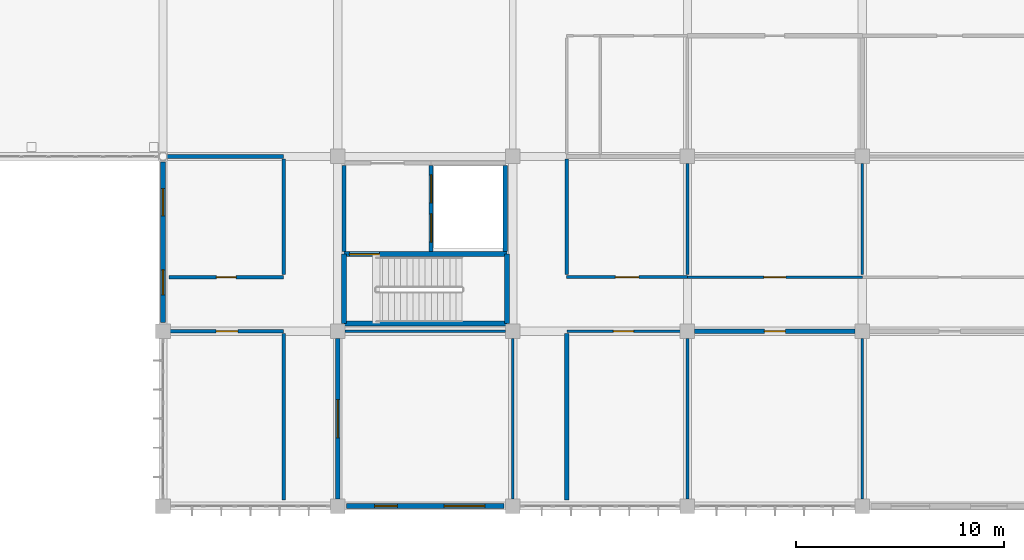
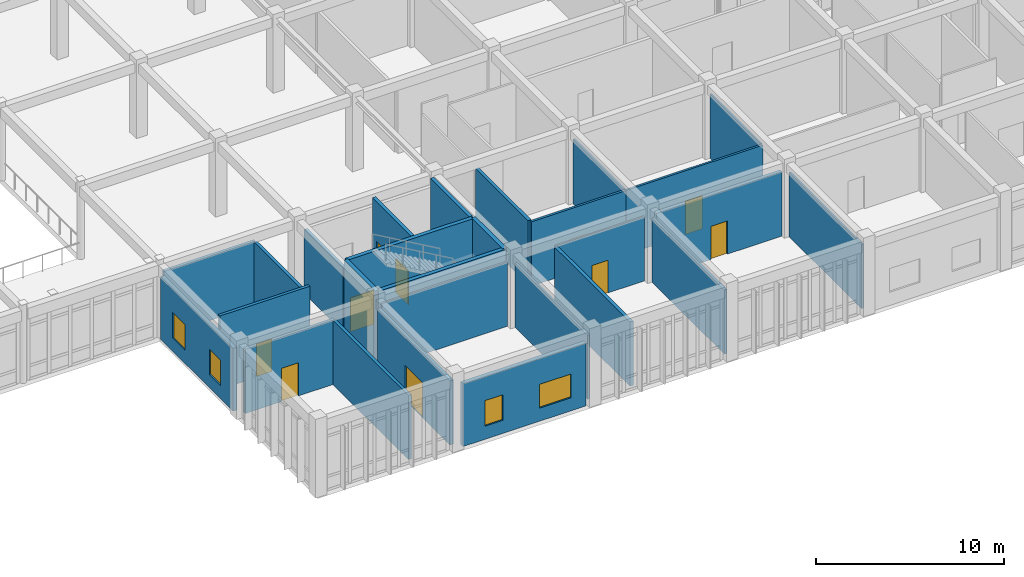
# One storey, part 93 of 134: 27 walls, 10 doors, 4 windows, 14 openings.
"""IFC4 building model written with IfcOpenShell, lengths in metres."""

from ifc_helpers import new_model, si_unit, direction, frame, frame_2d, origin, place, context, subcontext, project, spatial, rectangle, extrude, material, layer, layer_set, type_object, element, fill, save


model = new_model("IFC4")

# Units and contexts
model_context = context("Model", 3, precision=1e-05, world=origin(), true_north=direction((0.0, 1.0)))
body_context = subcontext(model_context, "Body", "Model", "MODEL_VIEW")
ifc_project = project(units=[si_unit("LENGTHUNIT", "METRE"), si_unit("AREAUNIT", "SQUARE_METRE"), si_unit("VOLUMEUNIT", "CUBIC_METRE"), si_unit("PLANEANGLEUNIT", "RADIAN"), si_unit("MASSUNIT", "GRAM", prefix="KILO")], contexts=[model_context])

# Site, building, storey
site_placement = place(None, origin())
site = spatial("IfcSite", under=ifc_project, at=site_placement, CompositionType="ELEMENT")
building_placement = place(site_placement, origin())
building = spatial("IfcBuilding", under=site, at=building_placement, Name="Bramfleet General Hospital", CompositionType="ELEMENT")
storey_placement = place(building_placement, frame((0.0, 0.0, 9.300048828125)))
storey = spatial("IfcBuildingStorey", under=building, at=storey_placement, Name="L02", CompositionType="ELEMENT", Elevation=9.300048828125)

# Wall, openings, windows
ifc_material_1 = material(Name="Precast concrete C40/50", Category="concrete")
ifc_layer_1 = layer(ifc_material_1, 0.25, Name="WT-EW-08")
ifc_layer_set_1 = layer_set([ifc_layer_1], Name="Precast concrete C40/50")
wall_type_1 = type_object("IfcWallType", Name="WT-EW-08", PredefinedType="SOLIDWALL", material=ifc_layer_set_1)
wall_1_placement = place(storey_placement, frame((108.77490234375, 0.0, 0.0), z_axis=(0.0, 0.0, 1.0), x_axis=(-1.0, 0.0, 0.0)))
wall_1 = element("IfcWall", 1, at=wall_1_placement, inside=storey, type_object=wall_type_1, Name="L02 Exterior Wall 230", PredefinedType="SOLIDWALL", context=body_context, shape_type="SweptSolid", body=[
    extrude(rectangle(XDim=7.5498046875, YDim=0.25, at=frame_2d((3.77490234375, 0.0))), origin(), (0.0, 0.0, 1.0), 4.070068359375),
])
opening_1_placement = place(wall_1_placement, frame((0.91259765625, 0.0, 0.85009765625)))
opening_1 = element("IfcOpeningElement", 2, at=opening_1_placement, cuts=wall_1, Name="Opening W-30", PredefinedType="OPENING", context=body_context, shape_type="SweptSolid", body=[
    extrude(rectangle(XDim=1.949951171875, YDim=1.5400390625, at=frame_2d((0.97509765625, 0.77001953125))), frame((0.0, 0.135009765625, 0.0), z_axis=(0.0, -1.0, 0.0), x_axis=(1.0, 0.0, 0.0)), (0.0, 0.0, 1.0), 0.27001953125),
])
opening_2_placement = place(wall_1_placement, frame((5.112548828125, 0.0, 0.85009765625)))
opening_2 = element("IfcOpeningElement", 3, at=opening_2_placement, cuts=wall_1, Name="Opening W-31", PredefinedType="OPENING", context=body_context, shape_type="SweptSolid", body=[
    extrude(rectangle(XDim=1.10009765625, YDim=1.659912109375, at=frame_2d((0.550048828125, 0.830078125))), frame((0.0, 0.135009765625, 0.0), z_axis=(0.0, -1.0, 0.0), x_axis=(1.0, 0.0, 0.0)), (0.0, 0.0, 1.0), 0.27001953125),
])
ifc_material_2 = material(Name="Anodised aluminium and low-E triple glazing", Category="aluminium")
window_type_1 = type_object("IfcWindowType", Name="WIN-W-30", PartitioningType="SINGLE_PANEL", PredefinedType="WINDOW", material=ifc_material_2)
window_1_placement = place(opening_1_placement, origin())
window_1 = element("IfcWindow", 4, at=window_1_placement, inside=storey, type_object=window_type_1, Name="L02 Facade Window WIN-L02-230-1", OverallHeight=1.5400390625, OverallWidth=1.949951171875, PartitioningType="SINGLE_PANEL", PredefinedType="WINDOW", context=body_context, shape_type="SweptSolid", body=[
    extrude(rectangle(XDim=1.949951171875, YDim=1.5400390625, at=frame_2d((0.97509765625, 0.77001953125))), frame((0.0, 0.030029296875, 0.0), z_axis=(0.0, -1.0, 0.0), x_axis=(1.0, 0.0, 0.0)), (0.0, 0.0, 1.0), 0.06005859375),
])
fill(opening_1, window_1)
window_type_2 = type_object("IfcWindowType", Name="WIN-W-31", PartitioningType="SINGLE_PANEL", PredefinedType="WINDOW", material=ifc_material_2)
window_2_placement = place(opening_2_placement, origin())
window_2 = element("IfcWindow", 5, at=window_2_placement, inside=storey, type_object=window_type_2, Name="L02 Facade Window WIN-L02-230-2", OverallHeight=1.659912109375, OverallWidth=1.10009765625, PartitioningType="SINGLE_PANEL", PredefinedType="WINDOW", context=body_context, shape_type="SweptSolid", body=[
    extrude(rectangle(XDim=1.10009765625, YDim=1.659912109375, at=frame_2d((0.550048828125, 0.830078125))), frame((0.0, 0.030029296875, 0.0), z_axis=(0.0, -1.0, 0.0), x_axis=(1.0, 0.0, 0.0)), (0.0, 0.0, 1.0), 0.06005859375),
])
fill(opening_2, window_2)

ifc_layer_2 = layer(ifc_material_1, 0.235107421875, Name="WT-EW-09")
ifc_layer_set_2 = layer_set([ifc_layer_2], Name="Precast concrete C40/50")
wall_type_2 = type_object("IfcWallType", Name="WT-EW-09", PredefinedType="SOLIDWALL", material=ifc_layer_set_2)
wall_2_placement = place(storey_placement, frame((92.39990234375, 8.824951171875, 0.0), z_axis=(0.0, 0.0, 1.0), x_axis=(0.0, 1.0, 0.0)))
wall_2 = element("IfcWall", 6, at=wall_2_placement, inside=storey, type_object=wall_type_2, Name="L02 Exterior Wall 231", PredefinedType="SOLIDWALL", context=body_context, shape_type="SweptSolid", body=[
    extrude(rectangle(XDim=7.697021484375, YDim=0.235107421875, at=frame_2d((3.8486328125, 0.0))), origin(), (0.0, 0.0, 1.0), 4.070068359375),
])
opening_3_placement = place(wall_2_placement, frame((1.32421875, 0.0, 0.85009765625)))
opening_3 = element("IfcOpeningElement", 7, at=opening_3_placement, cuts=wall_2, Name="Opening W-32", PredefinedType="OPENING", context=body_context, shape_type="SweptSolid", body=[
    extrude(rectangle(XDim=1.199951171875, YDim=1.659912109375, at=frame_2d((0.60009765625, 0.830078125))), frame((0.0, 0.12744140625, 0.0), z_axis=(0.0, -1.0, 0.0), x_axis=(1.0, 0.0, 0.0)), (0.0, 0.0, 1.0), 0.255126953125),
])
opening_4_placement = place(wall_2_placement, frame((5.122802734375, 0.0, 0.85009765625)))
opening_4 = element("IfcOpeningElement", 8, at=opening_4_placement, cuts=wall_2, Name="Opening W-33", PredefinedType="OPENING", context=body_context, shape_type="SweptSolid", body=[
    extrude(rectangle(XDim=1.300048828125, YDim=1.659912109375, at=frame_2d((0.64990234375, 0.830078125))), frame((0.0, 0.12744140625, 0.0), z_axis=(0.0, -1.0, 0.0), x_axis=(1.0, 0.0, 0.0)), (0.0, 0.0, 1.0), 0.255126953125),
])
window_type_3 = type_object("IfcWindowType", Name="WIN-W-32", PartitioningType="SINGLE_PANEL", PredefinedType="WINDOW", material=ifc_material_2)
window_3_placement = place(opening_3_placement, origin())
window_3 = element("IfcWindow", 9, at=window_3_placement, inside=storey, type_object=window_type_3, Name="L02 Facade Window WIN-L02-231-1", OverallHeight=1.659912109375, OverallWidth=1.199951171875, PartitioningType="SINGLE_PANEL", PredefinedType="WINDOW", context=body_context, shape_type="SweptSolid", body=[
    extrude(rectangle(XDim=1.199951171875, YDim=1.659912109375, at=frame_2d((0.60009765625, 0.830078125))), frame((0.0, 0.030029296875, 0.0), z_axis=(0.0, -1.0, 0.0), x_axis=(1.0, 0.0, 0.0)), (0.0, 0.0, 1.0), 0.06005859375),
])
fill(opening_3, window_3)
window_type_4 = type_object("IfcWindowType", Name="WIN-W-33", PartitioningType="SINGLE_PANEL", PredefinedType="WINDOW", material=ifc_material_2)
window_4_placement = place(opening_4_placement, origin())
window_4 = element("IfcWindow", 10, at=window_4_placement, inside=storey, type_object=window_type_4, Name="L02 Facade Window WIN-L02-231-2", OverallHeight=1.659912109375, OverallWidth=1.300048828125, PartitioningType="SINGLE_PANEL", PredefinedType="WINDOW", context=body_context, shape_type="SweptSolid", body=[
    extrude(rectangle(XDim=1.300048828125, YDim=1.659912109375, at=frame_2d((0.64990234375, 0.830078125))), frame((0.0, 0.030029296875, 0.0), z_axis=(0.0, -1.0, 0.0), x_axis=(1.0, 0.0, 0.0)), (0.0, 0.0, 1.0), 0.06005859375),
])
fill(opening_4, window_4)

# Wall, opening, door
ifc_material_3 = material(Name="Concrete C35/45", Category="concrete")
ifc_layer_3 = layer(ifc_material_3, 0.219970703125, Name="WT-IW-01")
ifc_layer_set_3 = layer_set([ifc_layer_3], Name="Concrete C35/45")
wall_type_3 = type_object("IfcWallType", Name="WT-IW-01", PredefinedType="PARTITIONING", material=ifc_layer_set_3)
wall_3_placement = place(storey_placement, frame((117.945068359375, 8.39990234375, 0.0), z_axis=(0.0, 0.0, 1.0), x_axis=(1.0, 0.0, 0.0)))
wall_3 = element("IfcWall", 11, at=wall_3_placement, inside=storey, type_object=wall_type_3, Name="L02 Interior Partition IW-L02-1933", PredefinedType="PARTITIONING", context=body_context, shape_type="SweptSolid", body=[
    extrude(rectangle(XDim=7.7099609375, YDim=0.219970703125, at=frame_2d((3.85498046875, 0.0))), origin(), (0.0, 0.0, 1.0), 4.169921875),
])
opening_5_placement = place(wall_3_placement, frame((3.35498046875, 0.0, 0.0)))
opening_5 = element("IfcOpeningElement", 12, at=opening_5_placement, cuts=wall_3, Name="Opening D0968", PredefinedType="OPENING", context=body_context, shape_type="SweptSolid", body=[
    extrude(rectangle(XDim=1.0, YDim=2.14990234375, at=frame_2d((0.5, 1.074951171875))), frame((0.0, 0.119873046875, 0.0), z_axis=(0.0, -1.0, 0.0), x_axis=(1.0, 0.0, 0.0)), (0.0, 0.0, 1.0), 0.239990234375),
])
ifc_material_4 = material(Name="Stainless steel and acoustic timber leaf", Category="steel")
door_type_1 = type_object("IfcDoorType", Name="DR-D-08", OperationType="NOTDEFINED", PredefinedType="DOOR", material=ifc_material_4)
door_1_placement = place(opening_5_placement, origin())
door_1 = element("IfcDoor", 13, at=door_1_placement, inside=storey, type_object=door_type_1, Name="Outpatient Physiotherapy Clinic L02-1400 Door D0968", OperationType="SINGLE_SWING_LEFT", OverallHeight=2.14990234375, OverallWidth=1.0, PredefinedType="DOOR", context=body_context, shape_type="SweptSolid", body=[
    extrude(rectangle(XDim=1.0, YDim=2.14990234375, at=frame_2d((0.5, 1.074951171875))), frame((0.0, 0.02490234375, 0.0), z_axis=(0.0, -1.0, 0.0), x_axis=(1.0, 0.0, 0.0)), (0.0, 0.0, 1.0), 0.050048828125),
])
fill(opening_5, door_1)

# Wall, openings, doors
ifc_layer_4 = layer(ifc_material_3, 0.205078125, Name="WT-IW-02")
ifc_layer_set_4 = layer_set([ifc_layer_4], Name="Concrete C35/45")
wall_type_4 = type_object("IfcWallType", Name="WT-IW-02", PredefinedType="PARTITIONING", material=ifc_layer_set_4)
wall_4_placement = place(storey_placement, frame((105.280029296875, 12.239990234375, 0.0), z_axis=(0.0, 0.0, 1.0), x_axis=(0.0, 1.0, 0.0)))
wall_4 = element("IfcWall", 14, at=wall_4_placement, inside=storey, type_object=wall_type_4, Name="L02 C3 Lobby East Shaft Wall", PredefinedType="PARTITIONING", context=body_context, shape_type="SweptSolid", body=[
    extrude(rectangle(XDim=4.1201171875, YDim=0.205078125, at=frame_2d((2.06005859375, 0.0))), origin(), (0.0, 0.0, 1.0), 4.77001953125),
])
opening_6_placement = place(wall_4_placement, frame((0.445068359375, 0.0, 0.0)))
opening_6 = element("IfcOpeningElement", 15, at=opening_6_placement, cuts=wall_4, Name="Opening LD-FL-01-L02", PredefinedType="OPENING", context=body_context, shape_type="SweptSolid", body=[
    extrude(rectangle(XDim=1.35009765625, YDim=2.199951171875, at=frame_2d((0.675048828125, 1.10009765625))), frame((0.0, 0.112548828125, 0.0), z_axis=(0.0, -1.0, 0.0), x_axis=(1.0, 0.0, 0.0)), (0.0, 0.0, 1.0), 0.22509765625),
])
opening_7_placement = place(wall_4_placement, frame((2.324951171875, 0.0, 0.0)))
opening_7 = element("IfcOpeningElement", 16, at=opening_7_placement, cuts=wall_4, Name="Opening LD-BL-03-L02", PredefinedType="OPENING", context=body_context, shape_type="SweptSolid", body=[
    extrude(rectangle(XDim=1.35009765625, YDim=2.199951171875, at=frame_2d((0.675048828125, 1.10009765625))), frame((0.0, 0.112548828125, 0.0), z_axis=(0.0, -1.0, 0.0), x_axis=(1.0, 0.0, 0.0)), (0.0, 0.0, 1.0), 0.22509765625),
])
ifc_material_5 = material(Name="Brushed stainless steel 1.4301", Category="steel")
door_type_2 = type_object("IfcDoorType", Name="DR-LD-01", OperationType="NOTDEFINED", PredefinedType="DOOR", material=ifc_material_5)
door_2_placement = place(opening_6_placement, origin())
door_2 = element("IfcDoor", 17, at=door_2_placement, inside=storey, type_object=door_type_2, Name="L02 Lift FL-01 Sliding Landing Door", OperationType="SLIDING_TO_LEFT", OverallHeight=2.199951171875, OverallWidth=1.35009765625, PredefinedType="DOOR", context=body_context, shape_type="SweptSolid", body=[
    extrude(rectangle(XDim=1.35009765625, YDim=2.199951171875, at=frame_2d((0.675048828125, 1.10009765625))), frame((0.0, 0.02490234375, 0.0), z_axis=(0.0, -1.0, 0.0), x_axis=(1.0, 0.0, 0.0)), (0.0, 0.0, 1.0), 0.050048828125),
])
fill(opening_6, door_2)
door_3_placement = place(opening_7_placement, origin())
door_3 = element("IfcDoor", 18, at=door_3_placement, inside=storey, type_object=door_type_2, Name="L02 Lift BL-03 Sliding Landing Door", OperationType="SLIDING_TO_LEFT", OverallHeight=2.199951171875, OverallWidth=1.35009765625, PredefinedType="DOOR", context=body_context, shape_type="SweptSolid", body=[
    extrude(rectangle(XDim=1.35009765625, YDim=2.199951171875, at=frame_2d((0.675048828125, 1.10009765625))), frame((0.0, 0.02490234375, 0.0), z_axis=(0.0, -1.0, 0.0), x_axis=(1.0, 0.0, 0.0)), (0.0, 0.0, 1.0), 0.050048828125),
])
fill(opening_7, door_3)

# Walls
wall_5_placement = place(storey_placement, frame((108.85009765625, 12.239990234375, 0.0), z_axis=(0.0, 0.0, 1.0), x_axis=(0.0, 1.0, 0.0)))
element("IfcWall", 19, at=wall_5_placement, inside=storey, type_object=wall_type_4, Name="L02 C3 Lift Shaft East Wall", PredefinedType="PARTITIONING", context=body_context, shape_type="SweptSolid", body=[
    extrude(rectangle(XDim=4.1201171875, YDim=0.205078125, at=frame_2d((2.06005859375, 0.0))), origin(), (0.0, 0.0, 1.0), 4.77001953125),
])
wall_6_placement = place(storey_placement, frame((101.10009765625, 12.239990234375, 0.0), z_axis=(0.0, 0.0, 1.0), x_axis=(0.0, 1.0, 0.0)))
element("IfcWall", 20, at=wall_6_placement, inside=storey, type_object=wall_type_4, Name="L02 C3 Lobby West Compartment Wall", PredefinedType="PARTITIONING", context=body_context, shape_type="SweptSolid", body=[
    extrude(rectangle(XDim=4.1201171875, YDim=0.205078125, at=frame_2d((2.06005859375, 0.0))), origin(), (0.0, 0.0, 1.0), 4.169921875),
])

# Wall, opening, door
wall_7_placement = place(storey_placement, frame((100.800048828125, 0.344970703125, 0.0), z_axis=(0.0, 0.0, 1.0), x_axis=(0.0, 1.0, 0.0)))
wall_7 = element("IfcWall", 21, at=wall_7_placement, inside=storey, type_object=wall_type_4, Name="L02 Interior Partition IW-L02-2354", PredefinedType="PARTITIONING", context=body_context, shape_type="SweptSolid", body=[
    extrude(rectangle(XDim=7.7099609375, YDim=0.205078125, at=frame_2d((3.85498046875, 0.0))), origin(), (0.0, 0.0, 1.0), 4.169921875),
])
opening_8_placement = place(wall_7_placement, frame((2.93505859375, 0.0, 0.0)))
opening_8 = element("IfcOpeningElement", 22, at=opening_8_placement, cuts=wall_7, Name="Opening D0948", PredefinedType="OPENING", context=body_context, shape_type="SweptSolid", body=[
    extrude(rectangle(XDim=1.840087890625, YDim=2.280029296875, at=frame_2d((0.919921875, 1.14013671875))), frame((0.0, 0.112548828125, 0.0), z_axis=(0.0, -1.0, 0.0), x_axis=(1.0, 0.0, 0.0)), (0.0, 0.0, 1.0), 0.22509765625),
])
door_type_3 = type_object("IfcDoorType", Name="DR-D-20", OperationType="NOTDEFINED", PredefinedType="DOOR", material=ifc_material_4)
door_4_placement = place(opening_8_placement, origin())
door_4 = element("IfcDoor", 23, at=door_4_placement, inside=storey, type_object=door_type_3, Name="Outpatient Physiotherapy Clinic L02-1200 Door D0948", OperationType="DOUBLE_SWING_LEFT", OverallHeight=2.280029296875, OverallWidth=1.840087890625, PredefinedType="DOOR", context=body_context, shape_type="SweptSolid", body=[
    extrude(rectangle(XDim=1.840087890625, YDim=2.280029296875, at=frame_2d((0.919921875, 1.14013671875))), frame((0.0, 0.02490234375, 0.0), z_axis=(0.0, -1.0, 0.0), x_axis=(1.0, 0.0, 0.0)), (0.0, 0.0, 1.0), 0.050048828125),
])
fill(opening_8, door_4)

# Walls
wall_8_placement = place(storey_placement, frame((111.800048828125, 0.280029296875, 0.0), z_axis=(0.0, 0.0, 1.0), x_axis=(0.0, 1.0, 0.0)))
element("IfcWall", 24, at=wall_8_placement, inside=storey, type_object=wall_type_4, Name="L02 Interior Partition IW-L02-2366", PredefinedType="PARTITIONING", context=body_context, shape_type="SweptSolid", body=[
    extrude(rectangle(XDim=8.0048828125, YDim=0.205078125, at=frame_2d((4.00244140625, 0.0))), origin(), (0.0, 0.0, 1.0), 4.169921875),
])
ifc_layer_5 = layer(ifc_material_3, 0.18994140625, Name="WT-IW-03")
ifc_layer_set_5 = layer_set([ifc_layer_5], Name="Concrete C35/45")
wall_type_5 = type_object("IfcWallType", Name="WT-IW-03", PredefinedType="PARTITIONING", material=ifc_layer_set_5)
wall_9_placement = place(storey_placement, frame((111.800048828125, 11.114990234375, 0.0), z_axis=(0.0, 0.0, 1.0), x_axis=(0.0, 1.0, 0.0)))
element("IfcWall", 25, at=wall_9_placement, inside=storey, type_object=wall_type_5, Name="L02 Interior Partition IW-L02-2367", PredefinedType="PARTITIONING", context=body_context, shape_type="SweptSolid", body=[
    extrude(rectangle(XDim=5.570068359375, YDim=0.18994140625, at=frame_2d((2.78515625, 0.0))), origin(), (0.0, 0.0, 1.0), 4.169921875),
])

# Wall, opening, door
ifc_layer_6 = layer(ifc_material_3, 0.179931640625, Name="WT-IW-04")
ifc_layer_set_6 = layer_set([ifc_layer_6], Name="Concrete C35/45")
wall_type_6 = type_object("IfcWallType", Name="WT-IW-04", PredefinedType="PARTITIONING", material=ifc_layer_set_6)
wall_10_placement = place(storey_placement, frame((92.7451171875, 8.39990234375, 0.0), z_axis=(0.0, 0.0, 1.0), x_axis=(1.0, 0.0, 0.0)))
wall_10 = element("IfcWall", 26, at=wall_10_placement, inside=storey, type_object=wall_type_6, Name="L02 Interior Partition IW-L02-1930", PredefinedType="PARTITIONING", context=body_context, shape_type="SweptSolid", body=[
    extrude(rectangle(XDim=5.454833984375, YDim=0.179931640625, at=frame_2d((2.7275390625, 0.0))), origin(), (0.0, 0.0, 1.0), 4.169921875),
])
opening_9_placement = place(wall_10_placement, frame((2.202392578125, 0.0, 0.0)))
opening_9 = element("IfcOpeningElement", 27, at=opening_9_placement, cuts=wall_10, Name="Opening D0937", PredefinedType="OPENING", context=body_context, shape_type="SweptSolid", body=[
    extrude(rectangle(XDim=1.050048828125, YDim=2.14990234375, at=frame_2d((0.52490234375, 1.074951171875))), frame((0.0, 0.099853515625, 0.0), z_axis=(0.0, -1.0, 0.0), x_axis=(1.0, 0.0, 0.0)), (0.0, 0.0, 1.0), 0.199951171875),
])
door_type_4 = type_object("IfcDoorType", Name="DR-D-09", OperationType="NOTDEFINED", PredefinedType="DOOR", material=ifc_material_4)
door_5_placement = place(opening_9_placement, origin())
door_5 = element("IfcDoor", 28, at=door_5_placement, inside=storey, type_object=door_type_4, Name="Interventional Cardiology Cath Lab L02-1100 Door D0937", OperationType="SINGLE_SWING_RIGHT", OverallHeight=2.14990234375, OverallWidth=1.050048828125, PredefinedType="DOOR", context=body_context, shape_type="SweptSolid", body=[
    extrude(rectangle(XDim=1.050048828125, YDim=2.14990234375, at=frame_2d((0.52490234375, 1.074951171875))), frame((0.0, 0.02490234375, 0.0), z_axis=(0.0, -1.0, 0.0), x_axis=(1.0, 0.0, 0.0)), (0.0, 0.0, 1.0), 0.050048828125),
])
fill(opening_9, door_5)

wall_11_placement = place(storey_placement, frame((92.679931640625, 11.0, 0.0), z_axis=(0.0, 0.0, 1.0), x_axis=(1.0, 0.0, 0.0)))
wall_11 = element("IfcWall", 29, at=wall_11_placement, inside=storey, type_object=wall_type_6, Name="L02 Interior Partition IW-L02-1939", PredefinedType="PARTITIONING", context=body_context, shape_type="SweptSolid", body=[
    extrude(rectangle(XDim=5.52001953125, YDim=0.179931640625, at=frame_2d((2.760009765625, 0.0))), origin(), (0.0, 0.0, 1.0), 4.77001953125),
])
opening_10_placement = place(wall_11_placement, frame((2.284912109375, 0.0, 0.0)))
opening_10 = element("IfcOpeningElement", 30, at=opening_10_placement, cuts=wall_11, Name="Opening D0938", PredefinedType="OPENING", context=body_context, shape_type="SweptSolid", body=[
    extrude(rectangle(XDim=0.949951171875, YDim=2.10009765625, at=frame_2d((0.47509765625, 1.050048828125))), frame((0.0, 0.099853515625, 0.0), z_axis=(0.0, -1.0, 0.0), x_axis=(1.0, 0.0, 0.0)), (0.0, 0.0, 1.0), 0.199951171875),
])
door_type_5 = type_object("IfcDoorType", Name="DR-D-10", OperationType="NOTDEFINED", PredefinedType="DOOR", material=ifc_material_4)
door_6_placement = place(opening_10_placement, origin())
door_6 = element("IfcDoor", 31, at=door_6_placement, inside=storey, type_object=door_type_5, Name="Interventional Cardiology Cath Lab L02-1101 Door D0938", OperationType="SINGLE_SWING_LEFT", OverallHeight=2.10009765625, OverallWidth=0.949951171875, PredefinedType="DOOR", context=body_context, shape_type="SweptSolid", body=[
    extrude(rectangle(XDim=0.949951171875, YDim=2.10009765625, at=frame_2d((0.47509765625, 1.050048828125))), frame((0.0, 0.02490234375, 0.0), z_axis=(0.0, -1.0, 0.0), x_axis=(1.0, 0.0, 0.0)), (0.0, 0.0, 1.0), 0.050048828125),
])
fill(opening_10, door_6)

# Walls
wall_12_placement = place(storey_placement, frame((92.59814453125, 16.800048828125, 0.0), z_axis=(0.0, 0.0, 1.0), x_axis=(1.0, 0.0, 0.0)))
element("IfcWall", 32, at=wall_12_placement, inside=storey, type_object=wall_type_6, Name="L02 Interior Partition IW-L02-1946", PredefinedType="PARTITIONING", context=body_context, shape_type="SweptSolid", body=[
    extrude(rectangle(XDim=5.601806640625, YDim=0.179931640625, at=frame_2d((2.80078125, 0.0))), origin(), (0.0, 0.0, 1.0), 4.169921875),
])
wall_13_placement = place(storey_placement, frame((98.199951171875, 0.280029296875, 0.0), z_axis=(0.0, 0.0, 1.0), x_axis=(0.0, 1.0, 0.0)))
element("IfcWall", 33, at=wall_13_placement, inside=storey, type_object=wall_type_6, Name="L02 Interior Partition IW-L02-2345", PredefinedType="PARTITIONING", context=body_context, shape_type="SweptSolid", body=[
    extrude(rectangle(XDim=8.0048828125, YDim=0.179931640625, at=frame_2d((4.00244140625, 0.0))), origin(), (0.0, 0.0, 1.0), 4.169921875),
])
wall_14_placement = place(storey_placement, frame((98.199951171875, 11.114990234375, 0.0), z_axis=(0.0, 0.0, 1.0), x_axis=(0.0, 1.0, 0.0)))
element("IfcWall", 34, at=wall_14_placement, inside=storey, type_object=wall_type_6, Name="L02 Interior Partition IW-L02-2346", PredefinedType="PARTITIONING", context=body_context, shape_type="SweptSolid", body=[
    extrude(rectangle(XDim=5.570068359375, YDim=0.179931640625, at=frame_2d((2.78515625, 0.0))), origin(), (0.0, 0.0, 1.0), 4.169921875),
])
ifc_material_6 = material(Name="Gypsum plasterboard on acoustic steel studs", Category="steel")
ifc_layer_7 = layer(ifc_material_6, 0.14990234375, Name="WT-IW-07")
ifc_layer_set_7 = layer_set([ifc_layer_7], Name="Gypsum plasterboard on acoustic steel studs")
wall_type_7 = type_object("IfcWallType", Name="WT-IW-07", PredefinedType="PARTITIONING", material=ifc_layer_set_7)
wall_15_placement = place(storey_placement, frame((117.60009765625, 0.344970703125, 0.0), z_axis=(0.0, 0.0, 1.0), x_axis=(0.0, 1.0, 0.0)))
element("IfcWall", 35, at=wall_15_placement, inside=storey, type_object=wall_type_7, Name="L02 Interior Partition IW-L02-2383", PredefinedType="PARTITIONING", context=body_context, shape_type="SweptSolid", body=[
    extrude(rectangle(XDim=7.7099609375, YDim=0.14990234375, at=frame_2d((3.85498046875, 0.0))), origin(), (0.0, 0.0, 1.0), 4.169921875),
])

# Wall, opening, door
ifc_layer_8 = layer(ifc_material_6, 0.139892578125, Name="WT-IW-08")
ifc_layer_set_8 = layer_set([ifc_layer_8], Name="Gypsum plasterboard on acoustic steel studs")
wall_type_8 = type_object("IfcWallType", Name="WT-IW-08", PredefinedType="PARTITIONING", material=ifc_layer_set_8)
wall_16_placement = place(storey_placement, frame((111.800048828125, 11.0, 0.0), z_axis=(0.0, 0.0, 1.0), x_axis=(1.0, 0.0, 0.0)))
wall_16 = element("IfcWall", 36, at=wall_16_placement, inside=storey, type_object=wall_type_8, Name="L02 Interior Partition IW-L02-1940", PredefinedType="PARTITIONING", context=body_context, shape_type="SweptSolid", body=[
    extrude(rectangle(XDim=5.800048828125, YDim=0.139892578125, at=frame_2d((2.89990234375, 0.0))), origin(), (0.0, 0.0, 1.0), 4.169921875),
])
opening_11_placement = place(wall_16_placement, frame((2.340087890625, 0.0, 0.0)))
opening_11 = element("IfcOpeningElement", 37, at=opening_11_placement, cuts=wall_16, Name="Opening D0955", PredefinedType="OPENING", context=body_context, shape_type="SweptSolid", body=[
    extrude(rectangle(XDim=1.1201171875, YDim=2.179931640625, at=frame_2d((0.56005859375, 1.08984375))), frame((0.0, 0.079833984375, 0.0), z_axis=(0.0, -1.0, 0.0), x_axis=(1.0, 0.0, 0.0)), (0.0, 0.0, 1.0), 0.159912109375),
])
door_type_6 = type_object("IfcDoorType", Name="DR-D-27", OperationType="NOTDEFINED", PredefinedType="DOOR", material=ifc_material_4)
door_7_placement = place(opening_11_placement, origin())
door_7 = element("IfcDoor", 38, at=door_7_placement, inside=storey, type_object=door_type_6, Name="Outpatient Physiotherapy Clinic L02-1301 Door D0955", OperationType="SINGLE_SWING_RIGHT", OverallHeight=2.179931640625, OverallWidth=1.1201171875, PredefinedType="DOOR", context=body_context, shape_type="SweptSolid", body=[
    extrude(rectangle(XDim=1.1201171875, YDim=2.179931640625, at=frame_2d((0.56005859375, 1.08984375))), frame((0.0, 0.02490234375, 0.0), z_axis=(0.0, -1.0, 0.0), x_axis=(1.0, 0.0, 0.0)), (0.0, 0.0, 1.0), 0.050048828125),
])
fill(opening_11, door_7)

# Wall
wall_17_placement = place(storey_placement, frame((117.60009765625, 11.114990234375, 0.0), z_axis=(0.0, 0.0, 1.0), x_axis=(0.0, 1.0, 0.0)))
element("IfcWall", 39, at=wall_17_placement, inside=storey, type_object=wall_type_8, Name="L02 Interior Partition IW-L02-2384", PredefinedType="PARTITIONING", context=body_context, shape_type="SweptSolid", body=[
    extrude(rectangle(XDim=5.340087890625, YDim=0.139892578125, at=frame_2d((2.669921875, 0.0))), origin(), (0.0, 0.0, 1.0), 4.169921875),
])

# Wall, opening, door
ifc_layer_9 = layer(ifc_material_6, 0.1298828125, Name="WT-IW-09")
ifc_layer_set_9 = layer_set([ifc_layer_9], Name="Gypsum plasterboard on acoustic steel studs")
wall_type_9 = type_object("IfcWallType", Name="WT-IW-09", PredefinedType="PARTITIONING", material=ifc_layer_set_9)
wall_18_placement = place(storey_placement, frame((117.60009765625, 11.0, 0.0), z_axis=(0.0, 0.0, 1.0), x_axis=(1.0, 0.0, 0.0)))
wall_18 = element("IfcWall", 40, at=wall_18_placement, inside=storey, type_object=wall_type_9, Name="L02 Interior Partition IW-L02-1941", PredefinedType="PARTITIONING", context=body_context, shape_type="SweptSolid", body=[
    extrude(rectangle(XDim=8.39990234375, YDim=0.1298828125, at=frame_2d((4.199951171875, 0.0))), origin(), (0.0, 0.0, 1.0), 4.169921875),
])
opening_12_placement = place(wall_18_placement, frame((3.675048828125, 0.0, 0.0)))
opening_12 = element("IfcOpeningElement", 41, at=opening_12_placement, cuts=wall_18, Name="Opening D0969", PredefinedType="OPENING", context=body_context, shape_type="SweptSolid", body=[
    extrude(rectangle(XDim=1.050048828125, YDim=2.14990234375, at=frame_2d((0.52490234375, 1.074951171875))), frame((0.0, 0.074951171875, 0.0), z_axis=(0.0, -1.0, 0.0), x_axis=(1.0, 0.0, 0.0)), (0.0, 0.0, 1.0), 0.14990234375),
])
door_8_placement = place(opening_12_placement, origin())
door_8 = element("IfcDoor", 42, at=door_8_placement, inside=storey, type_object=door_type_4, Name="Outpatient Physiotherapy Clinic L02-1401 Door D0969", OperationType="SINGLE_SWING_RIGHT", OverallHeight=2.14990234375, OverallWidth=1.050048828125, PredefinedType="DOOR", context=body_context, shape_type="SweptSolid", body=[
    extrude(rectangle(XDim=1.050048828125, YDim=2.14990234375, at=frame_2d((0.52490234375, 1.074951171875))), frame((0.0, 0.02490234375, 0.0), z_axis=(0.0, -1.0, 0.0), x_axis=(1.0, 0.0, 0.0)), (0.0, 0.0, 1.0), 0.050048828125),
])
fill(opening_12, door_8)

# Walls
wall_19_placement = place(storey_placement, frame((109.199951171875, 0.344970703125, 0.0), z_axis=(0.0, 0.0, 1.0), x_axis=(0.0, 1.0, 0.0)))
element("IfcWall", 43, at=wall_19_placement, inside=storey, type_object=wall_type_9, Name="L02 Interior Partition IW-L02-2361", PredefinedType="PARTITIONING", context=body_context, shape_type="SweptSolid", body=[
    extrude(rectangle(XDim=7.7099609375, YDim=0.1298828125, at=frame_2d((3.85498046875, 0.0))), origin(), (0.0, 0.0, 1.0), 4.169921875),
])
ifc_layer_10 = layer(ifc_material_6, 0.112060546875, Name="WT-IW-11")
ifc_layer_set_10 = layer_set([ifc_layer_10], Name="Gypsum plasterboard on acoustic steel studs")
wall_type_10 = type_object("IfcWallType", Name="WT-IW-11", PredefinedType="PARTITIONING", material=ifc_layer_set_10)
for number, where, z_axis, x_axis, name in (
    (44, (101.14501953125, 8.39990234375, 0.0), (0.0, 0.0, 1.0), (1.0, 0.0, 0.0), "L02 Interior Partition IW-L02-1931"),
    (45, (126.0, 0.344970703125, 0.0), (0.0, 0.0, 1.0), (0.0, 1.0, 0.0), "L02 Interior Partition IW-L02-2399"),
):
    element("IfcWall", number, at=place(storey_placement, frame(where, z_axis=z_axis, x_axis=x_axis)), inside=storey, type_object=wall_type_10, Name=name, PredefinedType="PARTITIONING", context=body_context, shape_type="SweptSolid", body=[
        extrude(rectangle(XDim=7.7099609375, YDim=0.112060546875, at=frame_2d((3.85498046875, 0.0))), origin(), (0.0, 0.0, 1.0), 4.169921875),
    ])

# Wall, opening, door
ifc_layer_11 = layer(ifc_material_6, 0.10009765625, Name="WT-IW-12")
ifc_layer_set_11 = layer_set([ifc_layer_11], Name="Gypsum plasterboard on acoustic steel studs")
wall_type_11 = type_object("IfcWallType", Name="WT-IW-12", PredefinedType="PARTITIONING", material=ifc_layer_set_11)
wall_20_placement = place(storey_placement, frame((111.800048828125, 8.39990234375, 0.0), z_axis=(0.0, 0.0, 1.0), x_axis=(1.0, 0.0, 0.0)))
wall_20 = element("IfcWall", 46, at=wall_20_placement, inside=storey, type_object=wall_type_11, Name="L02 Interior Partition IW-L02-1932", PredefinedType="PARTITIONING", context=body_context, shape_type="SweptSolid", body=[
    extrude(rectangle(XDim=5.454833984375, YDim=0.10009765625, at=frame_2d((2.7275390625, 0.0))), origin(), (0.0, 0.0, 1.0), 4.169921875),
])
opening_13_placement = place(wall_20_placement, frame((2.237548828125, 0.0, 0.0)))
opening_13 = element("IfcOpeningElement", 47, at=opening_13_placement, cuts=wall_20, Name="Opening D0954", PredefinedType="OPENING", context=body_context, shape_type="SweptSolid", body=[
    extrude(rectangle(XDim=0.97998046875, YDim=2.1201171875, at=frame_2d((0.489990234375, 1.06005859375))), frame((0.0, 0.06005859375, 0.0), z_axis=(0.0, -1.0, 0.0), x_axis=(1.0, 0.0, 0.0)), (0.0, 0.0, 1.0), 0.1201171875),
])
door_type_7 = type_object("IfcDoorType", Name="DR-D-26", OperationType="NOTDEFINED", PredefinedType="DOOR", material=ifc_material_4)
door_9_placement = place(opening_13_placement, origin())
door_9 = element("IfcDoor", 48, at=door_9_placement, inside=storey, type_object=door_type_7, Name="Outpatient Physiotherapy Clinic L02-1300 Door D0954", OperationType="SINGLE_SWING_LEFT", OverallHeight=2.1201171875, OverallWidth=0.97998046875, PredefinedType="DOOR", context=body_context, shape_type="SweptSolid", body=[
    extrude(rectangle(XDim=0.97998046875, YDim=2.1201171875, at=frame_2d((0.489990234375, 1.06005859375))), frame((0.0, 0.02490234375, 0.0), z_axis=(0.0, -1.0, 0.0), x_axis=(1.0, 0.0, 0.0)), (0.0, 0.0, 1.0), 0.050048828125),
])
fill(opening_13, door_9)

# Walls
wall_21_placement = place(storey_placement, frame((126.0, 11.114990234375, 0.0), z_axis=(0.0, 0.0, 1.0), x_axis=(0.0, 1.0, 0.0)))
element("IfcWall", 49, at=wall_21_placement, inside=storey, type_object=wall_type_11, Name="L02 Interior Partition IW-L02-2400", PredefinedType="PARTITIONING", context=body_context, shape_type="SweptSolid", body=[
    extrude(rectangle(XDim=5.340087890625, YDim=0.10009765625, at=frame_2d((2.669921875, 0.0))), origin(), (0.0, 0.0, 1.0), 4.169921875),
])
ifc_material_7 = material(Name="Concrete C40/50", Category="concrete")
ifc_layer_12 = layer(ifc_material_7, 0.239990234375, Name="WT-SW-240")
ifc_layer_set_12 = layer_set([ifc_layer_12], Name="Concrete C40/50")
wall_type_12 = type_object("IfcWallType", Name="WT-SW-240", PredefinedType="SHEAR", material=ifc_layer_set_12)
wall_22_placement = place(storey_placement, frame((101.10009765625, 8.780029296875, 0.0), z_axis=(0.0, 0.0, 1.0), x_axis=(1.0, 0.0, 0.0)))
element("IfcWall", 50, at=wall_22_placement, inside=storey, type_object=wall_type_12, Name="L02 C3 South Stair Shear Wall", PredefinedType="SHEAR", context=body_context, shape_type="SweptSolid", body=[
    extrude(rectangle(XDim=7.81982421875, YDim=0.239990234375, at=frame_2d((3.909912109375, 0.0))), origin(), (0.0, 0.0, 1.0), 4.780029296875),
])
for number, where, z_axis, x_axis, name in (
    (51, (101.10009765625, 8.780029296875, 0.0), (0.0, 0.0, 1.0), (0.0, 1.0, 0.0), "L02 C3 West Stair Shear Wall"),
    (52, (108.919921875, 8.780029296875, 0.0), (0.0, 0.0, 1.0), (0.0, 1.0, 0.0), "L02 C3 East Stair Shear Wall"),
):
    element("IfcWall", number, at=place(storey_placement, frame(where, z_axis=z_axis, x_axis=x_axis)), inside=storey, type_object=wall_type_12, Name=name, PredefinedType="SHEAR", context=body_context, shape_type="SweptSolid", body=[
        extrude(rectangle(XDim=3.320068359375, YDim=0.239990234375, at=frame_2d((1.66015625, 0.0))), origin(), (0.0, 0.0, 1.0), 4.780029296875),
    ])

# Wall, opening, door
wall_23_placement = place(storey_placement, frame((101.10009765625, 12.10009765625, 0.0), z_axis=(0.0, 0.0, 1.0), x_axis=(1.0, 0.0, 0.0)))
wall_23 = element("IfcWall", 53, at=wall_23_placement, inside=storey, type_object=wall_type_12, Name="L02 C3 Stair-Lobby Shear Wall", PredefinedType="SHEAR", context=body_context, shape_type="SweptSolid", body=[
    extrude(rectangle(XDim=7.81982421875, YDim=0.239990234375, at=frame_2d((3.909912109375, 0.0))), origin(), (0.0, 0.0, 1.0), 4.780029296875),
])
opening_14_placement = place(wall_23_placement, frame((0.25, 0.0, 0.0)))
opening_14 = element("IfcOpeningElement", 54, at=opening_14_placement, cuts=wall_23, Name="Opening D0025", PredefinedType="OPENING", context=body_context, shape_type="SweptSolid", body=[
    extrude(rectangle(XDim=1.449951171875, YDim=2.199951171875, at=frame_2d((0.72509765625, 1.10009765625))), frame((0.0, 0.1298828125, 0.0), z_axis=(0.0, -1.0, 0.0), x_axis=(1.0, 0.0, 0.0)), (0.0, 0.0, 1.0), 0.260009765625),
])
door_type_8 = type_object("IfcDoorType", Name="DR-D-03", OperationType="NOTDEFINED", PredefinedType="DOOR", material=ifc_material_4)
door_10_placement = place(opening_14_placement, origin())
door_10 = element("IfcDoor", 55, at=door_10_placement, inside=storey, type_object=door_type_8, Name="L02 C3 Escape Stair Fire Door D0025", OperationType="SINGLE_SWING_RIGHT", OverallHeight=2.199951171875, OverallWidth=1.449951171875, PredefinedType="DOOR", context=body_context, shape_type="SweptSolid", body=[
    extrude(rectangle(XDim=1.449951171875, YDim=2.199951171875, at=frame_2d((0.72509765625, 1.10009765625))), frame((0.0, 0.02490234375, 0.0), z_axis=(0.0, -1.0, 0.0), x_axis=(1.0, 0.0, 0.0)), (0.0, 0.0, 1.0), 0.050048828125),
])
fill(opening_14, door_10)

save(model, "model.ifc")
